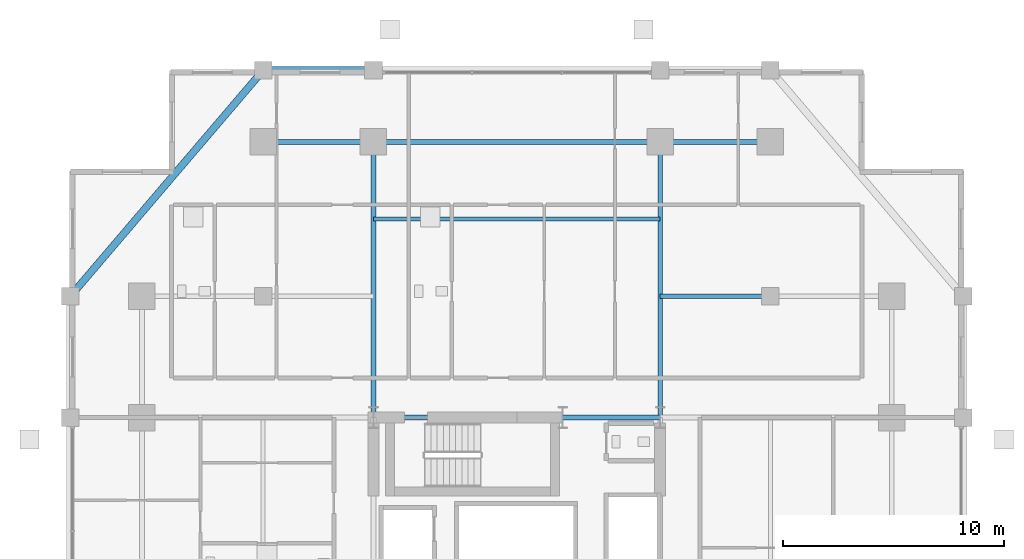
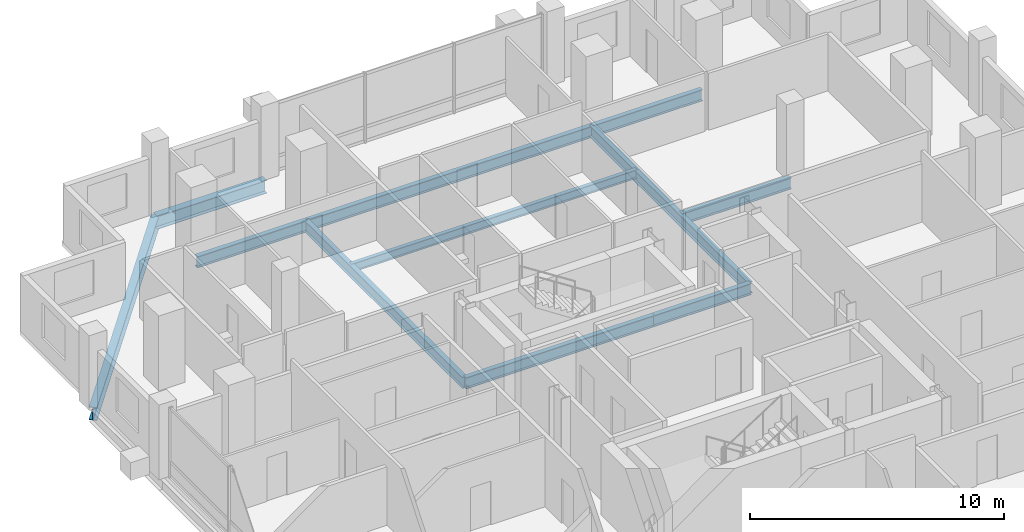
# One storey, part 9 of 20: 11 beams.
"""IFC4 building model written with IfcOpenShell, lengths in metres."""

from ifc_helpers import new_model, si_unit, direction, frame, origin, origin_2d, place, context, subcontext, project, spatial, i_section, extrude, material, material_profile, profile_set, type_object, element, save


model = new_model("IFC4")

# Units and contexts
model_context = context("Model", 3, precision=1e-05, world=origin(), true_north=direction((0.0, 1.0)))
body_context = subcontext(model_context, "Body", "Model", "MODEL_VIEW")
ifc_project = project(units=[si_unit("LENGTHUNIT", "METRE"), si_unit("AREAUNIT", "SQUARE_METRE"), si_unit("VOLUMEUNIT", "CUBIC_METRE"), si_unit("PLANEANGLEUNIT", "RADIAN"), si_unit("MASSUNIT", "GRAM", prefix="KILO")], contexts=[model_context])

# Site, building, storey
site_placement = place(None, origin())
site = spatial("IfcSite", under=ifc_project, at=site_placement, CompositionType="ELEMENT")
building_placement = place(site_placement, origin())
building = spatial("IfcBuilding", under=site, at=building_placement, Name="Barlavira Tower and Art Museum", CompositionType="ELEMENT")
storey_placement = place(building_placement, frame((0.0, 0.0, 102.60009765625)))
storey = spatial("IfcBuildingStorey", under=building, at=storey_placement, Name="L25", CompositionType="ELEMENT", Elevation=102.60009765625)

# Beams
ifc_material = material(Name="Steel S355", Category="steel")
ifc_material_profile_1 = material_profile(ifc_material, i_section(OverallWidth=0.327880859375, OverallDepth=0.62890625, WebThickness=0.013916015625, FlangeThickness=0.021484375, at=origin_2d()), Name="W610x174.0")
ifc_profile_set_1 = profile_set([ifc_material_profile_1], Name="Steel S355")
beam_type_1 = type_object("IfcBeamType", Name="Perimeter Spandrel Edge Beam W610x174 Steel S355", PredefinedType="SPANDREL", material=ifc_profile_set_1)
beam_1_placement = place(storey_placement, frame((-11.5, 23.25, -0.53466796875), z_axis=(1.0, 0.0, 0.0), x_axis=(0.0, 1.0, 0.0)))
element("IfcBeam", 1, at=beam_1_placement, inside=storey, type_object=beam_type_1, Name="L25 Spandrel 11", PredefinedType="SPANDREL", context=body_context, shape_type="SweptSolid", body=[
    extrude(i_section(OverallWidth=0.327880859375, OverallDepth=0.62890625, WebThickness=0.013916015625, FlangeThickness=0.021484375, at=origin_2d()), origin(), (0.0, 0.0, 1.0), 5.0),
])
beam_2_placement = place(storey_placement, frame((-11.5, 23.25, -0.53466796875), z_axis=(-0.649262379928, -0.760564502202, 0.0), x_axis=(0.760564502202, -0.649262379928, 0.0)))
element("IfcBeam", 2, at=beam_2_placement, inside=storey, type_object=beam_type_1, Name="L25 Spandrel 12", PredefinedType="SPANDREL", context=body_context, shape_type="SweptSolid", body=[
    extrude(i_section(OverallWidth=0.327880859375, OverallDepth=0.62890625, WebThickness=0.013916015625, FlangeThickness=0.021484375, at=origin_2d()), origin(), (0.0, 0.0, 1.0), 13.476806640625),
])
ifc_material_profile_2 = material_profile(ifc_material, i_section(OverallWidth=0.214111328125, OverallDepth=0.549072265625, WebThickness=0.0146484375, FlangeThickness=0.023681640625, at=origin_2d()), Name="W530x138.0")
ifc_profile_set_2 = profile_set([ifc_material_profile_2], Name="Steel S355")
beam_type_2 = type_object("IfcBeamType", Name="Zone 1 Primary Floor Girder W530x138 Steel S355", PredefinedType="BEAM", material=ifc_profile_set_2)
beam_3_placement = place(storey_placement, frame((-6.5, 7.5, -0.49462890625), z_axis=(1.0, 0.0, 0.0), x_axis=(0.0, 1.0, 0.0)))
element("IfcBeam", 3, at=beam_3_placement, inside=storey, type_object=beam_type_2, Name="L25 Girder C-N1", PredefinedType="BEAM", context=body_context, shape_type="SweptSolid", body=[
    extrude(i_section(OverallWidth=0.214111328125, OverallDepth=0.549072265625, WebThickness=0.0146484375, FlangeThickness=0.023681640625, at=origin_2d()), origin(), (0.0, 0.0, 1.0), 8.580078125),
])
beam_4_placement = place(storey_placement, frame((2.080078125, 7.5, -0.49462890625), z_axis=(1.0, 0.0, 0.0), x_axis=(0.0, 1.0, 0.0)))
element("IfcBeam", 4, at=beam_4_placement, inside=storey, type_object=beam_type_2, Name="L25 Girder C-N2", PredefinedType="BEAM", context=body_context, shape_type="SweptSolid", body=[
    extrude(i_section(OverallWidth=0.214111328125, OverallDepth=0.549072265625, WebThickness=0.0146484375, FlangeThickness=0.023681640625, at=origin_2d()), origin(), (0.0, 0.0, 1.0), 4.419921875),
])
beam_5_placement = place(storey_placement, frame((-11.5, 20.0, -0.49462890625), z_axis=(1.0, 0.0, 0.0), x_axis=(0.0, 1.0, 0.0)))
element("IfcBeam", 5, at=beam_5_placement, inside=storey, type_object=beam_type_2, Name="L25 Girder M-N1", PredefinedType="BEAM", context=body_context, shape_type="SweptSolid", body=[
    extrude(i_section(OverallWidth=0.214111328125, OverallDepth=0.549072265625, WebThickness=0.0146484375, FlangeThickness=0.023681640625, at=origin_2d()), origin(), (0.0, 0.0, 1.0), 5.0),
])
beam_6_placement = place(storey_placement, frame((-6.5, 20.0, -0.49462890625), z_axis=(1.0, 0.0, 0.0), x_axis=(0.0, 1.0, 0.0)))
element("IfcBeam", 6, at=beam_6_placement, inside=storey, type_object=beam_type_2, Name="L25 Girder M-N2", PredefinedType="BEAM", context=body_context, shape_type="SweptSolid", body=[
    extrude(i_section(OverallWidth=0.214111328125, OverallDepth=0.549072265625, WebThickness=0.0146484375, FlangeThickness=0.023681640625, at=origin_2d()), origin(), (0.0, 0.0, 1.0), 13.0),
])
beam_7_placement = place(storey_placement, frame((6.5, 20.0, -0.49462890625), z_axis=(1.0, 0.0, 0.0), x_axis=(0.0, 1.0, 0.0)))
element("IfcBeam", 7, at=beam_7_placement, inside=storey, type_object=beam_type_2, Name="L25 Girder M-N3", PredefinedType="BEAM", context=body_context, shape_type="SweptSolid", body=[
    extrude(i_section(OverallWidth=0.214111328125, OverallDepth=0.549072265625, WebThickness=0.0146484375, FlangeThickness=0.023681640625, at=origin_2d()), origin(), (0.0, 0.0, 1.0), 5.0),
])
for number, where, z_axis, x_axis, name in (
    (8, (-6.5, 7.5, -0.49462890625), (0.0, 1.0, 0.0), (-1.0, 0.0, 0.0), "L25 Girder R-N1"),
    (9, (6.5, 7.5, -0.49462890625), (0.0, 1.0, 0.0), (-1.0, 0.0, 0.0), "L25 Girder R-N2"),
):
    element("IfcBeam", number, at=place(storey_placement, frame(where, z_axis=z_axis, x_axis=x_axis)), inside=storey, type_object=beam_type_2, Name=name, PredefinedType="BEAM", context=body_context, shape_type="SweptSolid", body=[
        extrude(i_section(OverallWidth=0.214111328125, OverallDepth=0.549072265625, WebThickness=0.0146484375, FlangeThickness=0.023681640625, at=origin_2d()), origin(), (0.0, 0.0, 1.0), 12.5),
    ])
beam_8_placement = place(storey_placement, frame((6.5, 13.0, -0.49462890625), z_axis=(1.0, 0.0, 0.0), x_axis=(0.0, 1.0, 0.0)))
element("IfcBeam", 10, at=beam_8_placement, inside=storey, type_object=beam_type_2, Name="L25 Girder I-N3", PredefinedType="BEAM", context=body_context, shape_type="SweptSolid", body=[
    extrude(i_section(OverallWidth=0.214111328125, OverallDepth=0.549072265625, WebThickness=0.0146484375, FlangeThickness=0.023681640625, at=origin_2d()), origin(), (0.0, 0.0, 1.0), 5.0),
])
ifc_material_profile_3 = material_profile(ifc_material, i_section(OverallWidth=0.179931640625, OverallDepth=0.4130859375, WebThickness=0.009765625, FlangeThickness=0.01611328125, at=origin_2d()), Name="W410x75.0")
ifc_profile_set_3 = profile_set([ifc_material_profile_3], Name="Steel S355")
beam_type_3 = type_object("IfcBeamType", Name="Zone 2 Composite Floor Joist W410x75 Steel S355", PredefinedType="JOIST", material=ifc_profile_set_3)
beam_9_placement = place(storey_placement, frame((-6.5, 16.5, -0.426513671875), z_axis=(1.0, 0.0, 0.0), x_axis=(0.0, 1.0, 0.0)))
element("IfcBeam", 11, at=beam_9_placement, inside=storey, type_object=beam_type_3, Name="L25 Joist C2", PredefinedType="JOIST", context=body_context, shape_type="SweptSolid", body=[
    extrude(i_section(OverallWidth=0.179931640625, OverallDepth=0.4130859375, WebThickness=0.009765625, FlangeThickness=0.01611328125, at=origin_2d()), origin(), (0.0, 0.0, 1.0), 13.0),
])

save(model, "model.ifc")
